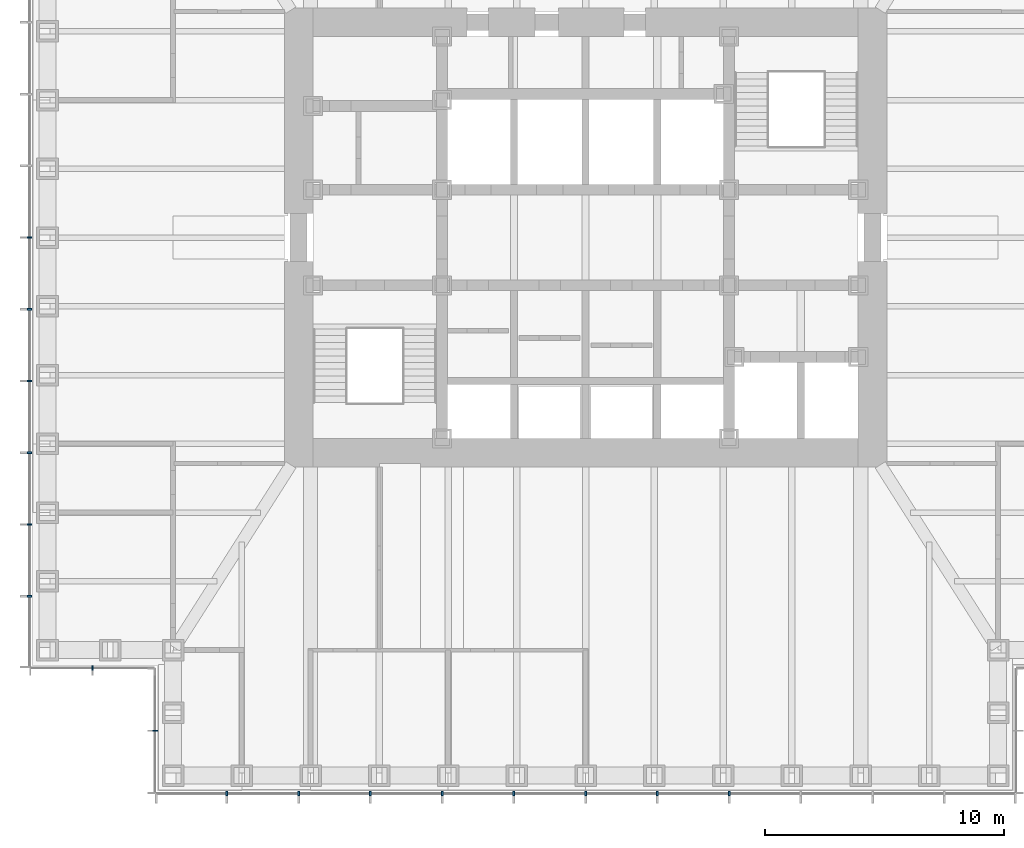
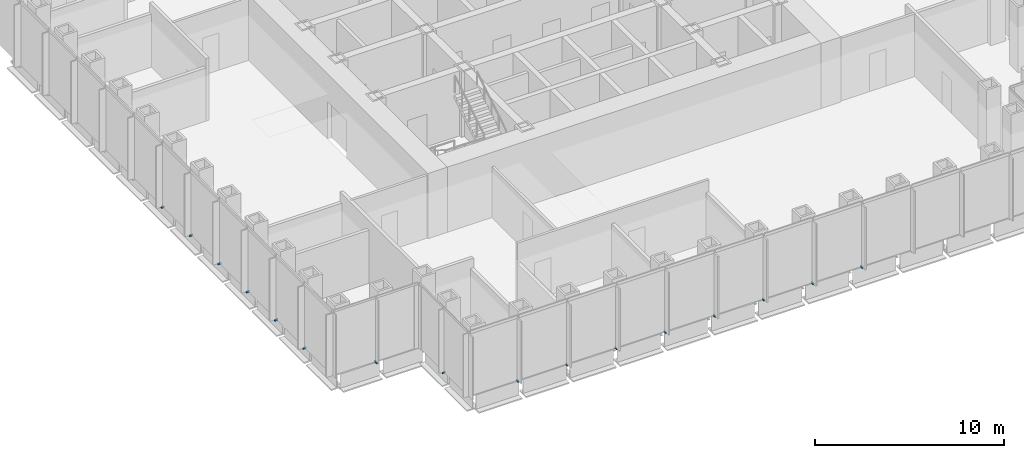
# One storey, part 12 of 17: 16 discrete accessories.
"""IFC4 building model written with IfcOpenShell, lengths in metres."""

from ifc_helpers import new_model, si_unit, direction, frame, origin, origin_2d, place, context, subcontext, project, spatial, rectangle, extrude, element, save


model = new_model("IFC4")

# Units and contexts
model_context = context("Model", 3, precision=1e-05, world=origin(), true_north=direction((0.0, 1.0)))
body_context = subcontext(model_context, "Body", "Model", "MODEL_VIEW")
ifc_project = project(units=[si_unit("LENGTHUNIT", "METRE"), si_unit("AREAUNIT", "SQUARE_METRE"), si_unit("VOLUMEUNIT", "CUBIC_METRE"), si_unit("PLANEANGLEUNIT", "RADIAN"), si_unit("MASSUNIT", "GRAM", prefix="KILO")], contexts=[model_context])

# Site, building, storey
site_placement = place(None, origin())
site = spatial("IfcSite", under=ifc_project, at=site_placement, CompositionType="ELEMENT")
building_placement = place(site_placement, origin())
building = spatial("IfcBuilding", under=site, at=building_placement, Name="Daluyong Arena Tower", CompositionType="ELEMENT")
storey_placement = place(building_placement, frame((0.0, 0.0, 154.300048828125)))
storey = spatial("IfcBuildingStorey", under=building, at=storey_placement, Name="L34", CompositionType="ELEMENT", Elevation=154.300048828125)

# Discrete accessories
for number, where, z_axis, x_axis, name in (
    (1, (41.0, 56.75, -0.10009765625), (0.0, 0.0, 1.0), (1.0, 0.0, 0.0), "curtain wall L34 S anchor bracket 2"),
    (2, (44.0, 56.75, -0.10009765625), (0.0, 0.0, 1.0), (1.0, 0.0, 0.0), "curtain wall L34 S anchor bracket 3"),
    (3, (47.0, 56.75, -0.10009765625), (0.0, 0.0, 1.0), (1.0, 0.0, 0.0), "curtain wall L34 S anchor bracket 4"),
    (4, (50.0, 56.75, -0.10009765625), (0.0, 0.0, 1.0), (1.0, 0.0, 0.0), "curtain wall L34 S anchor bracket 5"),
    (5, (53.0, 56.75, -0.10009765625), (0.0, 0.0, 1.0), (1.0, 0.0, 0.0), "curtain wall L34 S anchor bracket 6"),
    (6, (56.0, 56.75, -0.10009765625), (0.0, 0.0, 1.0), (1.0, 0.0, 0.0), "curtain wall L34 S anchor bracket 7"),
    (7, (59.0, 56.75, -0.10009765625), (0.0, 0.0, 1.0), (1.0, 0.0, 0.0), "curtain wall L34 S anchor bracket 8"),
    (8, (62.0, 56.75, -0.10009765625), (0.0, 0.0, 1.0), (1.0, 0.0, 0.0), "curtain wall L34 S anchor bracket 9"),
    (9, (32.75, 80.0, -0.10009765625), (0.0, 0.0, 1.0), (0.0, -1.0, 0.0), "curtain wall L34 W anchor bracket 7"),
    (10, (32.75, 77.0, -0.10009765625), (0.0, 0.0, 1.0), (0.0, -1.0, 0.0), "curtain wall L34 W anchor bracket 8"),
    (11, (32.75, 74.0, -0.10009765625), (0.0, 0.0, 1.0), (0.0, -1.0, 0.0), "curtain wall L34 W anchor bracket 9"),
    (12, (32.75, 71.0, -0.10009765625), (0.0, 0.0, 1.0), (0.0, -1.0, 0.0), "curtain wall L34 W anchor bracket 10"),
    (13, (32.75, 68.0, -0.10009765625), (0.0, 0.0, 1.0), (0.0, -1.0, 0.0), "curtain wall L34 W anchor bracket 11"),
    (14, (32.75, 65.0, -0.10009765625), (0.0, 0.0, 1.0), (0.0, -1.0, 0.0), "curtain wall L34 W anchor bracket 12"),
):
    element("IfcDiscreteAccessory", number, at=place(storey_placement, frame(where, z_axis=z_axis, x_axis=x_axis)), inside=storey, Name=name, PredefinedType="BRACKET", context=body_context, shape_type="SweptSolid", body=[
        extrude(rectangle(XDim=0.080078125, YDim=0.199951171875, at=origin_2d()), origin(), (0.0, 0.0, 1.0), 0.10009765625),
    ])
for number, where, z_axis, x_axis, name in (
    (15, (35.375, 62.0, -0.10009765625), (0.0, 0.0, 1.0), (1.0, 0.0, 0.0), "curtain wall L34 SW-S anchor bracket 2"),
    (16, (38.0, 59.375, -0.10009765625), (0.0, 0.0, 1.0), (0.0, -1.0, 0.0), "curtain wall L34 SW-W anchor bracket 2"),
):
    element("IfcDiscreteAccessory", number, at=place(storey_placement, frame(where, z_axis=z_axis, x_axis=x_axis)), inside=storey, Name=name, PredefinedType="BRACKET", context=body_context, shape_type="SweptSolid", body=[
        extrude(rectangle(XDim=0.06005859375, YDim=0.199951171875, at=origin_2d()), origin(), (0.0, 0.0, 1.0), 0.10009765625),
    ])

save(model, "model.ifc")
